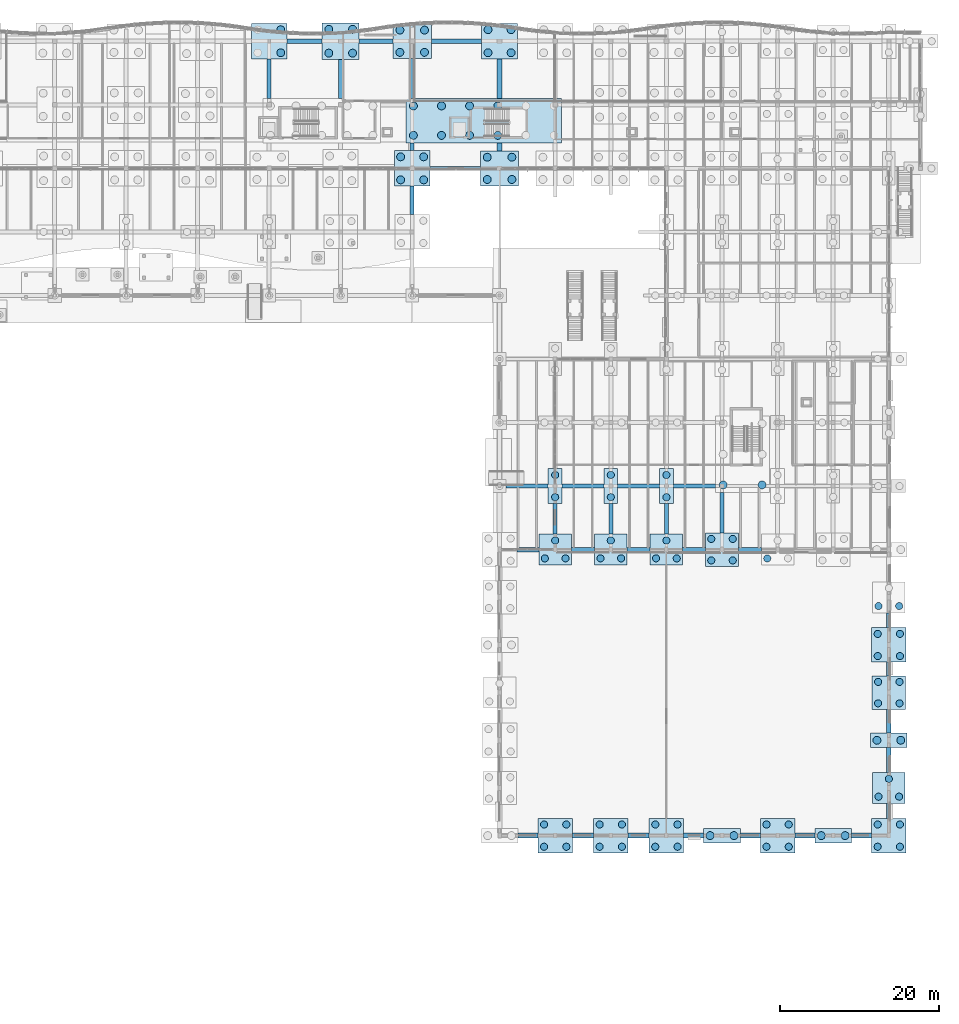
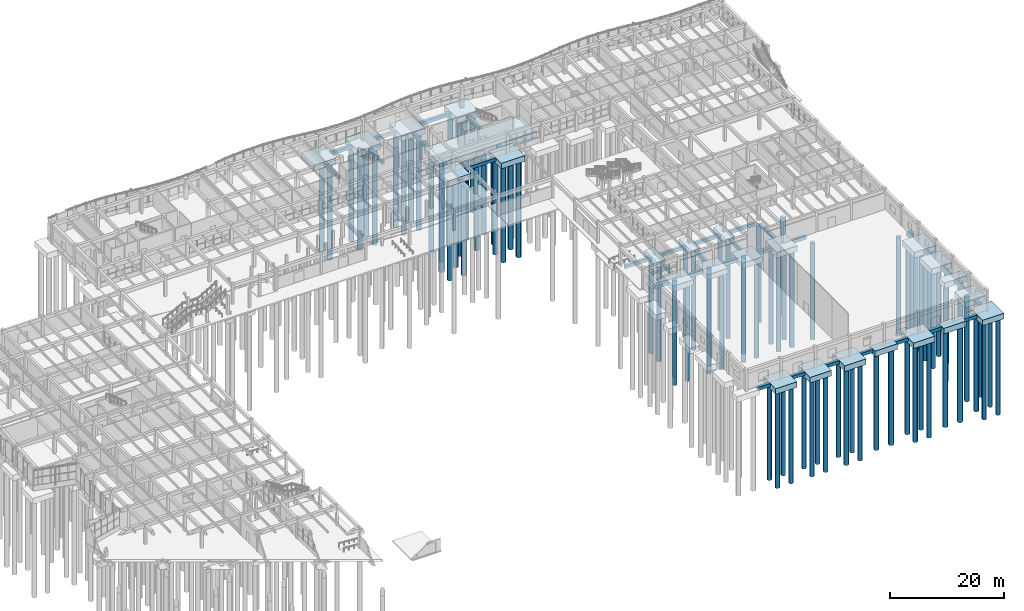
# One storey, part 6 of 99: 91 piles, 61 footings.
"""IFC4 building model written with IfcOpenShell, lengths in metres."""

import ifcopenshell
import ifcopenshell.guid

model = None  # the IFC model being written
_history = None  # IfcOwnerHistory: only IFC2X3 demands one
_inside = {}  # id of a spatial element -> (the spatial element, [elements in it])
_under = {}  # id of a project, library or spatial element -> (it, [spatial elements below it])
_declared = {}  # id of a project -> (the project, [libraries it declares])
_typed = {}  # id of a type object -> (the type object, [elements of that type])
_made_of = {}  # id of a material, layer set ... -> (it, [elements and type objects made of it])


def new_model(schema):
    """Start an empty IFC model of exactly this schema.

    Asked for "IFC4X3", IfcOpenShell would pick the latest addendum, in which some entities
    have other attributes; the version numbers below select the first issue.
    IFC2X3 requires an IfcOwnerHistory on every rooted entity: one is made here for all.
    """
    global model, _history
    if schema == "IFC4X3":
        model = ifcopenshell.file(schema_version=(4, 3, 0, 0))
    else:
        model = ifcopenshell.file(schema=schema)
    _inside.clear()
    _under.clear()
    _declared.clear()
    _typed.clear()
    _made_of.clear()
    _history = None
    if model.schema == "IFC2X3":
        org = make("IfcOrganization", Name="unknown")
        user = make(
            "IfcPersonAndOrganization",
            ThePerson=make("IfcPerson", FamilyName="unknown"),
            TheOrganization=org,
        )
        app = make(
            "IfcApplication",
            ApplicationDeveloper=org,
            Version="unknown",
            ApplicationFullName="unknown",
            ApplicationIdentifier="unknown",
        )
        _history = make(
            "IfcOwnerHistory",
            OwningUser=user,
            OwningApplication=app,
            ChangeAction="ADDED",
            CreationDate=0,
        )
    return model


def make(cls, **values):
    """One entity of the class cls with the attributes given. An attribute that is None is left unset."""
    return model.create_entity(
        cls, **{name: value for name, value in values.items() if value is not None}
    )


def rooted(cls, **values):
    """An entity with a GlobalId (a new one), such as an element, a storey or a relation."""
    return make(cls, GlobalId=ifcopenshell.guid.new(), OwnerHistory=_history, **values)


def si_unit(unit_type, name, prefix=None):
    """IfcSIUnit, for example si_unit("LENGTHUNIT", "METRE", prefix="MILLI")."""
    return make("IfcSIUnit", UnitType=unit_type, Prefix=prefix, Name=name)


def assignment(units):
    """IfcUnitAssignment: the units of a project."""
    return None if units is None else make("IfcUnitAssignment", Units=units)


def point(xyz):
    """IfcCartesianPoint."""
    return None if xyz is None else make("IfcCartesianPoint", Coordinates=xyz)


def direction(xyz):
    """IfcDirection."""
    return None if xyz is None else make("IfcDirection", DirectionRatios=xyz)


def frame(location, z_axis=None, x_axis=None):
    """IfcAxis2Placement3D, a coordinate frame: its origin and axes. An axis left out is left unset."""
    return make(
        "IfcAxis2Placement3D",
        Location=point(location),
        Axis=direction(z_axis),
        RefDirection=direction(x_axis),
    )


def frame_2d(location, x_axis=None):
    """IfcAxis2Placement2D, a coordinate frame in the plane: its origin and x axis."""
    return make(
        "IfcAxis2Placement2D", Location=point(location), RefDirection=direction(x_axis)
    )


def origin():
    """The frame at (0, 0, 0) with its axes left unset."""
    return frame((0.0, 0.0, 0.0))


def origin_2d():
    """The frame at (0, 0) in the plane with its x axis left unset."""
    return frame_2d((0.0, 0.0))


def place(relative_to, where):
    """IfcLocalPlacement: puts the frame where relative to a parent placement (None: the world)."""
    return make(
        "IfcLocalPlacement", PlacementRelTo=relative_to, RelativePlacement=where
    )


def context(
    kind, dimensions, precision=None, world=None, true_north=None, identifier=None
):
    """IfcGeometricRepresentationContext, for example the 3D "Model" context."""
    return make(
        "IfcGeometricRepresentationContext",
        ContextIdentifier=identifier,
        ContextType=kind,
        CoordinateSpaceDimension=dimensions,
        Precision=precision,
        WorldCoordinateSystem=world,
        TrueNorth=true_north,
    )


def subcontext(parent, identifier, kind, view, scale=None):
    """IfcGeometricRepresentationSubContext, for example "Body" below "Model"."""
    return make(
        "IfcGeometricRepresentationSubContext",
        ContextIdentifier=identifier,
        ContextType=kind,
        ParentContext=parent,
        TargetScale=scale,
        TargetView=view,
    )


def project(units=None, contexts=None):
    """IfcProject with its units and contexts."""
    return rooted(
        "IfcProject",
        Name="project",
        RepresentationContexts=contexts,
        UnitsInContext=assignment(units),
    )


def spatial(cls, under=None, at=None, **own):
    """A site, building, storey or space (cls), placed at a placement, below another one or the project."""
    s = rooted(cls, ObjectPlacement=at, **own)
    if under is not None:
        _under.setdefault(under.id(), (under, []))[1].append(s)
    return s


def profile(cls, at=None, kind="AREA", **sizes):
    """A parametric profile (cls). Its sizes go by their IFC names, for example OverallWidth=200.0."""
    return make(cls, ProfileType=kind, Position=at, **sizes)


def rectangle(**sizes):
    """IfcRectangleProfileDef."""
    return profile("IfcRectangleProfileDef", **sizes)


def circle(**sizes):
    """IfcCircleProfileDef."""
    return profile("IfcCircleProfileDef", **sizes)


def extrude(swept, where, along, depth):
    """IfcExtrudedAreaSolid: the profile swept, set in the frame where, extruded along a direction by depth."""
    return make(
        "IfcExtrudedAreaSolid",
        SweptArea=swept,
        Position=where,
        ExtrudedDirection=direction(along),
        Depth=depth,
    )


def shape(context_of_items, identifier, shape_type, items):
    """IfcShapeRepresentation: the items that make up one representation, for example the "Body"."""
    return make(
        "IfcShapeRepresentation",
        ContextOfItems=context_of_items,
        RepresentationIdentifier=identifier,
        RepresentationType=shape_type,
        Items=items,
    )


def material(Name=None, Category=None):
    """IfcMaterial."""
    return make("IfcMaterial", Name=Name, Category=Category)


def material_profile(
    of_material, cross_section, Name=None, Category=None, Priority=None
):
    """IfcMaterialProfile: a cross section and its material."""
    return make(
        "IfcMaterialProfile",
        Name=Name,
        Material=of_material,
        Profile=cross_section,
        Priority=Priority,
        Category=Category,
    )


def profile_set(profiles, Name=None, composite=None):
    """IfcMaterialProfileSet."""
    return make(
        "IfcMaterialProfileSet",
        Name=Name,
        MaterialProfiles=profiles,
        CompositeProfile=composite,
    )


def made_of(thing, what):
    """Note that an element or type object is made of a material, layer set ...; save() writes the relation."""
    if what is not None:
        _made_of.setdefault(what.id(), (what, []))[1].append(thing)
    return thing


def type_object(cls, material=None, **own):
    """A type object (cls), such as IfcWallType, which elements share."""
    return made_of(rooted(cls, **own), material)


def element(
    cls,
    number,
    at=None,
    inside=None,
    cuts=None,
    type_object=None,
    material=None,
    context=None,
    identifier="Body",
    shape_type=None,
    held_by="IfcProductDefinitionShape",
    body=None,
    shapes=None,
    **own,
):
    """One element of the class cls, such as IfcWall. Its Tag is "e" and its number.

    at: its placement. inside: the storey or other place that contains it. cuts: it is an
    opening in that element (IfcRelVoidsElement). A single representation is given by context,
    identifier, shape_type and body (its items); several are given by shapes. held_by: the class
    of the entity that holds the representations. save() writes the other relations.
    """
    e = rooted(cls, Tag="e%d" % number, ObjectPlacement=at, **own)
    if body is not None:
        shapes = [shape(context, identifier, shape_type, body)]
    if shapes is not None:
        e.Representation = make(held_by, Representations=shapes)
    if inside is not None:
        _inside.setdefault(inside.id(), (inside, []))[1].append(e)
    if cuts is not None:
        rooted(
            "IfcRelVoidsElement", RelatingBuildingElement=cuts, RelatedOpeningElement=e
        )
    if type_object is not None:
        _typed.setdefault(type_object.id(), (type_object, []))[1].append(e)
    return made_of(e, material)


def aggregate(whole, parts):
    """IfcRelAggregates: a whole, such as a stair, and the parts it consists of."""
    return rooted("IfcRelAggregates", RelatingObject=whole, RelatedObjects=parts)


def save(model, path):
    """Write the relations noted so far, then the file.

    IfcRelAggregates (storeys below a building ...), IfcRelContainedInSpatialStructure (elements
    in a storey), IfcRelDefinesByType, IfcRelAssociatesMaterial and IfcRelDeclares: one each for
    every whole, place, type object, material and project.
    """
    for whole, parts in _under.values():
        aggregate(whole, parts)
    for where, things in _inside.values():
        rooted(
            "IfcRelContainedInSpatialStructure",
            RelatedElements=things,
            RelatingStructure=where,
        )
    for kind, things in _typed.values():
        rooted("IfcRelDefinesByType", RelatedObjects=things, RelatingType=kind)
    for what, things in _made_of.values():
        rooted("IfcRelAssociatesMaterial", RelatedObjects=things, RelatingMaterial=what)
    for by, libraries in _declared.values():
        rooted("IfcRelDeclares", RelatingContext=by, RelatedDefinitions=libraries)
    model.write(path)


model = new_model("IFC4")

# Units and contexts
model_context = context("Model", 3, precision=1e-05, world=origin(), true_north=direction((0.0, 1.0)))
body_context = subcontext(model_context, "Body", "Model", "MODEL_VIEW")
ifc_project = project(units=[si_unit("LENGTHUNIT", "METRE"), si_unit("AREAUNIT", "SQUARE_METRE"), si_unit("VOLUMEUNIT", "CUBIC_METRE"), si_unit("PLANEANGLEUNIT", "RADIAN"), si_unit("MASSUNIT", "GRAM", prefix="KILO")], contexts=[model_context])

# Site, building, storey
site_placement = place(None, origin())
site = spatial("IfcSite", under=ifc_project, at=site_placement, CompositionType="ELEMENT")
building_placement = place(site_placement, origin())
building = spatial("IfcBuilding", under=site, at=building_placement, Name="Tonlespit Floodbar School", CompositionType="ELEMENT")
storey_placement = place(building_placement, origin())
storey = spatial("IfcBuildingStorey", under=building, at=storey_placement, Name="L00", CompositionType="ELEMENT", Elevation=0.0)

# Footings
ifc_material_1 = material(Name="Concrete C40/50", Category="concrete")
footing_type_1 = type_object("IfcFootingType", Name="FootingBeam_RC_500x700", PredefinedType="FOOTING_BEAM", material=ifc_material_1)
footing_1_placement = place(storey_placement, frame((130.46240234375, 64.0, -0.89990234375), z_axis=(0.0, 0.0, 1.0), x_axis=(1.0, 0.0, 0.0)))
element("IfcFooting", 1, at=footing_1_placement, inside=storey, type_object=footing_type_1, Name="Ground tie beam FB-059", PredefinedType="FOOTING_BEAM", context=body_context, shape_type="SweptSolid", body=[
    extrude(rectangle(XDim=5.324951171875, YDim=0.5, at=origin_2d()), origin(), (0.0, 0.0, 1.0), 0.699951171875),
])
for number, where, z_axis, x_axis, name in (
    (2, (137.5, 64.0, -0.89990234375), (0.0, 0.0, 1.0), (1.0, 0.0, 0.0), "Ground tie beam FB-060"),
    (3, (144.5, 64.0, -0.89990234375), (0.0, 0.0, 1.0), (1.0, 0.0, 0.0), "Ground tie beam FB-061"),
):
    element("IfcFooting", number, at=place(storey_placement, frame(where, z_axis=z_axis, x_axis=x_axis)), inside=storey, type_object=footing_type_1, Name=name, PredefinedType="FOOTING_BEAM", context=body_context, shape_type="SweptSolid", body=[
        extrude(rectangle(XDim=5.25, YDim=0.5, at=origin_2d()), origin(), (0.0, 0.0, 1.0), 0.699951171875),
    ])
footing_2_placement = place(storey_placement, frame((151.53759765625, 64.0, -0.89990234375), z_axis=(0.0, 0.0, 1.0), x_axis=(1.0, 0.0, 0.0)))
element("IfcFooting", 4, at=footing_2_placement, inside=storey, type_object=footing_type_1, Name="Ground tie beam FB-062", PredefinedType="FOOTING_BEAM", context=body_context, shape_type="SweptSolid", body=[
    extrude(rectangle(XDim=5.324951171875, YDim=0.5, at=origin_2d()), origin(), (0.0, 0.0, 1.0), 0.699951171875),
])
footing_3_placement = place(storey_placement, frame((121.425048828125, 104.0, -0.89990234375), z_axis=(0.0, 0.0, 1.0), x_axis=(1.0, 0.0, 0.0)))
element("IfcFooting", 5, at=footing_3_placement, inside=storey, type_object=footing_type_1, Name="Ground tie beam FB-125", PredefinedType="FOOTING_BEAM", context=body_context, shape_type="SweptSolid", body=[
    extrude(rectangle(XDim=6.35009765625, YDim=0.5, at=origin_2d()), origin(), (0.0, 0.0, 1.0), 0.699951171875),
])
footing_4_placement = place(storey_placement, frame((98.0, 115.27490234375, -0.89990234375), z_axis=(0.0, 0.0, 1.0), x_axis=(0.0, 1.0, 0.0)))
element("IfcFooting", 6, at=footing_4_placement, inside=storey, type_object=footing_type_1, Name="Ground tie beam FB-257", PredefinedType="FOOTING_BEAM", context=body_context, shape_type="SweptSolid", body=[
    extrude(rectangle(XDim=4.949951171875, YDim=0.5, at=origin_2d()), origin(), (0.0, 0.0, 1.0), 0.699951171875),
])
footing_5_placement = place(storey_placement, frame((107.0, 115.237548828125, -0.89990234375), z_axis=(0.0, 0.0, 1.0), x_axis=(0.0, 1.0, 0.0)))
element("IfcFooting", 7, at=footing_5_placement, inside=storey, type_object=footing_type_1, Name="Ground tie beam FB-261", PredefinedType="FOOTING_BEAM", context=body_context, shape_type="SweptSolid", body=[
    extrude(rectangle(XDim=4.875, YDim=0.5, at=origin_2d()), origin(), (0.0, 0.0, 1.0), 0.699951171875),
])
footing_6_placement = place(storey_placement, frame((116.0, 99.96240234375, -0.89990234375), z_axis=(0.0, 0.0, 1.0), x_axis=(0.0, 1.0, 0.0)))
element("IfcFooting", 8, at=footing_6_placement, inside=storey, type_object=footing_type_1, Name="Ground tie beam FB-263", PredefinedType="FOOTING_BEAM", context=body_context, shape_type="SweptSolid", body=[
    extrude(rectangle(XDim=3.574951171875, YDim=0.5, at=origin_2d()), origin(), (0.0, 0.0, 1.0), 0.699951171875),
])
footing_7_placement = place(storey_placement, frame((116.0, 106.72509765625, -0.89990234375), z_axis=(0.0, 0.0, 1.0), x_axis=(0.0, 1.0, 0.0)))
element("IfcFooting", 9, at=footing_7_placement, inside=storey, type_object=footing_type_1, Name="Ground tie beam FB-264", PredefinedType="FOOTING_BEAM", context=body_context, shape_type="SweptSolid", body=[
    extrude(rectangle(XDim=0.949951171875, YDim=0.5, at=origin_2d()), origin(), (0.0, 0.0, 1.0), 0.699951171875),
])
footing_8_placement = place(storey_placement, frame((116.0, 115.300048828125, -0.89990234375), z_axis=(0.0, 0.0, 1.0), x_axis=(0.0, 1.0, 0.0)))
element("IfcFooting", 10, at=footing_8_placement, inside=storey, type_object=footing_type_1, Name="Ground tie beam FB-265", PredefinedType="FOOTING_BEAM", context=body_context, shape_type="SweptSolid", body=[
    extrude(rectangle(XDim=5.0, YDim=0.5, at=origin_2d()), origin(), (0.0, 0.0, 1.0), 0.699951171875),
])
for number, where, z_axis, x_axis, name in (
    (11, (134.0, 59.875, -0.89990234375), (0.0, 0.0, 1.0), (0.0, 1.0, 0.0), "Ground tie beam FB-278"),
    (12, (141.0, 59.875, -0.89990234375), (0.0, 0.0, 1.0), (0.0, 1.0, 0.0), "Ground tie beam FB-283"),
    (13, (148.0, 59.875, -0.89990234375), (0.0, 0.0, 1.0), (0.0, 1.0, 0.0), "Ground tie beam FB-288"),
):
    element("IfcFooting", number, at=place(storey_placement, frame(where, z_axis=z_axis, x_axis=x_axis)), inside=storey, type_object=footing_type_1, Name=name, PredefinedType="FOOTING_BEAM", context=body_context, shape_type="SweptSolid", body=[
        extrude(rectangle(XDim=3.85009765625, YDim=0.5, at=origin_2d()), origin(), (0.0, 0.0, 1.0), 0.699951171875),
    ])
footing_9_placement = place(storey_placement, frame((155.0, 60.64990234375, -0.89990234375), z_axis=(0.0, 0.0, 1.0), x_axis=(0.0, 1.0, 0.0)))
element("IfcFooting", 14, at=footing_9_placement, inside=storey, type_object=footing_type_1, Name="Ground tie beam FB-296", PredefinedType="FOOTING_BEAM", context=body_context, shape_type="SweptSolid", body=[
    extrude(rectangle(XDim=5.10009765625, YDim=0.5, at=origin_2d()), origin(), (0.0, 0.0, 1.0), 0.699951171875),
])
footing_type_2 = type_object("IfcFootingType", Name="PileCap_2PX_4600x1850", PredefinedType="PILE_CAP", material=ifc_material_1)
for number, where, z_axis, x_axis, name in (
    (15, (155.0, 20.0, -1.39990234375), (0.0, 0.0, 1.0), (1.0, 0.0, 0.0), "Pile cap FC-164 at U19/V03"),
    (16, (169.0, 20.0, -1.39990234375), (0.0, 0.0, 1.0), (1.0, 0.0, 0.0), "Pile cap FC-184 at U21/V03"),
    (17, (176.0, 32.0, -1.39990234375), (0.0, 0.0, 1.0), (1.0, 0.0, 0.0), "Pile cap FC-196 at U22/V05"),
):
    element("IfcFooting", number, at=place(storey_placement, frame(where, z_axis=z_axis, x_axis=x_axis)), inside=storey, type_object=footing_type_2, Name=name, PredefinedType="PILE_CAP", context=body_context, shape_type="SweptSolid", body=[
        extrude(rectangle(XDim=4.60009765625, YDim=1.85009765625, at=origin_2d()), origin(), (0.0, 0.0, 1.0), 1.199951171875),
    ])
footing_type_3 = type_object("IfcFootingType", Name="PileCap_2PY_1750x4400", PredefinedType="PILE_CAP", material=ifc_material_1)
for number, where, z_axis, x_axis, name in (
    (18, (134.0, 64.0, -1.39990234375), (0.0, 0.0, 1.0), (1.0, 0.0, 0.0), "Pile cap FC-140 at U16/V10"),
    (19, (141.0, 64.0, -1.39990234375), (0.0, 0.0, 1.0), (1.0, 0.0, 0.0), "Pile cap FC-148 at U17/V10"),
    (20, (148.0, 64.0, -1.39990234375), (0.0, 0.0, 1.0), (1.0, 0.0, 0.0), "Pile cap FC-156 at U18/V10"),
):
    element("IfcFooting", number, at=place(storey_placement, frame(where, z_axis=z_axis, x_axis=x_axis)), inside=storey, type_object=footing_type_3, Name=name, PredefinedType="PILE_CAP", context=body_context, shape_type="SweptSolid", body=[
        extrude(rectangle(XDim=1.75, YDim=4.39990234375, at=origin_2d()), origin(), (0.0, 0.0, 1.0), 1.199951171875),
    ])
footing_type_4 = type_object("IfcFootingType", Name="PileCap_3P_4100x3900", PredefinedType="PILE_CAP", material=ifc_material_1)
for number, where, z_axis, x_axis, name in (
    (21, (134.0, 56.0, -1.39990234375), (0.0, 0.0, 1.0), (1.0, 0.0, 0.0), "Pile cap FC-139 at U16/V09"),
    (22, (141.0, 56.0, -1.39990234375), (0.0, 0.0, 1.0), (1.0, 0.0, 0.0), "Pile cap FC-147 at U17/V09"),
    (23, (148.0, 56.0, -1.39990234375), (0.0, 0.0, 1.0), (1.0, 0.0, 0.0), "Pile cap FC-155 at U18/V09"),
    (24, (176.0, 26.0, -1.39990234375), (0.0, 0.0, 1.0), (1.0, 0.0, 0.0), "Pile cap FC-195 at U22/V04"),
):
    element("IfcFooting", number, at=place(storey_placement, frame(where, z_axis=z_axis, x_axis=x_axis)), inside=storey, type_object=footing_type_4, Name=name, PredefinedType="PILE_CAP", context=body_context, shape_type="SweptSolid", body=[
        extrude(rectangle(XDim=4.10009765625, YDim=3.89990234375, at=origin_2d()), origin(), (0.0, 0.0, 1.0), 1.199951171875),
    ])
footing_type_5 = type_object("IfcFootingType", Name="PileCap_4P_4200x4200", PredefinedType="PILE_CAP", material=ifc_material_1)
for number, where, z_axis, x_axis, name in (
    (25, (155.0, 56.0, -1.39990234375), (0.0, 0.0, 1.0), (1.0, 0.0, 0.0), "Pile cap FC-165 at U19/V09"),
    (26, (176.0, 38.0, -1.39990234375), (0.0, 0.0, 1.0), (1.0, 0.0, 0.0), "Pile cap FC-197 at U22/V06"),
):
    element("IfcFooting", number, at=place(storey_placement, frame(where, z_axis=z_axis, x_axis=x_axis)), inside=storey, type_object=footing_type_5, Name=name, PredefinedType="PILE_CAP", context=body_context, shape_type="SweptSolid", body=[
        extrude(rectangle(XDim=4.199951171875, YDim=4.199951171875, at=origin_2d()), origin(), (0.0, 0.0, 1.0), 1.199951171875),
    ])
footing_type_6 = type_object("IfcFootingType", Name="PileCap_4P_4350x4350", PredefinedType="PILE_CAP", material=ifc_material_1)
for number, where, z_axis, x_axis, name in (
    (27, (134.0, 20.0, -1.39990234375), (0.0, 0.0, 1.0), (1.0, 0.0, 0.0), "Pile cap FC-138 at U16/V03"),
    (28, (141.0, 20.0, -1.39990234375), (0.0, 0.0, 1.0), (1.0, 0.0, 0.0), "Pile cap FC-146 at U17/V03"),
    (29, (148.0, 20.0, -1.39990234375), (0.0, 0.0, 1.0), (1.0, 0.0, 0.0), "Pile cap FC-154 at U18/V03"),
    (30, (162.0, 20.0, -1.39990234375), (0.0, 0.0, 1.0), (1.0, 0.0, 0.0), "Pile cap FC-174 at U20/V03"),
    (31, (176.0, 20.0, -1.39990234375), (0.0, 0.0, 1.0), (1.0, 0.0, 0.0), "Pile cap FC-194 at U22/V03"),
    (32, (176.0, 44.0, -1.39990234375), (0.0, 0.0, 1.0), (1.0, 0.0, 0.0), "Pile cap FC-198 at U22/V07"),
):
    element("IfcFooting", number, at=place(storey_placement, frame(where, z_axis=z_axis, x_axis=x_axis)), inside=storey, type_object=footing_type_6, Name=name, PredefinedType="PILE_CAP", context=body_context, shape_type="SweptSolid", body=[
        extrude(rectangle(XDim=4.35009765625, YDim=4.35009765625, at=origin_2d()), origin(), (0.0, 0.0, 1.0), 1.199951171875),
    ])
footing_type_7 = type_object("IfcFootingType", Name="PileCap_4P_4500x4500", PredefinedType="PILE_CAP", material=ifc_material_1)
for number, where, z_axis, x_axis, name in (
    (33, (98.0, 120.0, -1.39990234375), (0.0, 0.0, 1.0), (1.0, 0.0, 0.0), "Pile cap FC-113 at U12/V17"),
    (34, (116.0, 104.0, -1.39990234375), (0.0, 0.0, 1.0), (1.0, 0.0, 0.0), "Pile cap FC-121 at U14/V15"),
    (35, (127.0, 120.0, -1.39990234375), (0.0, 0.0, 1.0), (1.0, 0.0, 0.0), "Pile cap FC-137 at U15/V17"),
):
    element("IfcFooting", number, at=place(storey_placement, frame(where, z_axis=z_axis, x_axis=x_axis)), inside=storey, type_object=footing_type_7, Name=name, PredefinedType="PILE_CAP", context=body_context, shape_type="SweptSolid", body=[
        extrude(rectangle(XDim=4.5, YDim=4.5, at=origin_2d()), origin(), (0.0, 0.0, 1.0), 1.199951171875),
    ])
footing_type_8 = type_object("IfcFootingType", Name="PileCap_4P_4650x4650", PredefinedType="PILE_CAP", material=ifc_material_1)
footing_10_placement = place(storey_placement, frame((107.0, 120.0, -1.39990234375), z_axis=(0.0, 0.0, 1.0), x_axis=(1.0, 0.0, 0.0)))
element("IfcFooting", 36, at=footing_10_placement, inside=storey, type_object=footing_type_8, Name="Pile cap FC-118 at U13/V17", PredefinedType="PILE_CAP", context=body_context, shape_type="SweptSolid", body=[
    extrude(rectangle(XDim=4.64990234375, YDim=4.64990234375, at=origin_2d()), origin(), (0.0, 0.0, 1.0), 1.199951171875),
])
footing_type_9 = type_object("IfcFootingType", Name="PileCap_4P_4800x4400", PredefinedType="PILE_CAP", material=ifc_material_1)
for number, where, z_axis, x_axis, name in (
    (37, (116.0, 120.0, -1.39990234375), (0.0, 0.0, 1.0), (1.0, 0.0, 0.0), "Pile cap FC-123 at U14/V17"),
    (38, (127.0, 104.0, -1.39990234375), (0.0, 0.0, 1.0), (1.0, 0.0, 0.0), "Pile cap FC-135 at U15/V15"),
):
    element("IfcFooting", number, at=place(storey_placement, frame(where, z_axis=z_axis, x_axis=x_axis)), inside=storey, type_object=footing_type_9, Name=name, PredefinedType="PILE_CAP", context=body_context, shape_type="SweptSolid", body=[
        extrude(rectangle(XDim=4.800048828125, YDim=4.39990234375, at=origin_2d()), origin(), (0.0, 0.0, 1.0), 1.199951171875),
    ])
footing_type_10 = type_object("IfcFootingType", Name="PileCap_Core_C4", PredefinedType="PILE_CAP", material=ifc_material_1)
footing_11_placement = place(storey_placement, frame((125.0, 110.0, -1.39990234375), z_axis=(0.0, 0.0, 1.0), x_axis=(1.0, 0.0, 0.0)))
element("IfcFooting", 39, at=footing_11_placement, inside=storey, type_object=footing_type_10, Name="Core C4 pile cap", PredefinedType="PILE_CAP", context=body_context, shape_type="SweptSolid", body=[
    extrude(rectangle(XDim=19.60009765625, YDim=5.60009765625, at=origin_2d()), origin(), (0.0, 0.0, 1.0), 1.199951171875),
])

# Piles
ifc_material_2 = material(Name="Concrete C35/45", Category="concrete")
ifc_material_profile_1 = material_profile(ifc_material_2, circle(Radius=0.5, at=origin_2d()), Name="BP D1000")
ifc_profile_set_1 = profile_set([ifc_material_profile_1], Name="Concrete C35/45")
pile_type_1 = type_object("IfcPileType", Name="Pile_RC_D1000", PredefinedType="BORED", material=ifc_profile_set_1)
for number, where, z_axis, x_axis, name in (
    (40, (116.14990234375, 108.14990234375, -1.300048828125), (0.0, 0.0, -1.0), (1.0, 0.0, 0.0), "Bored pile PL-0033"),
    (41, (116.14990234375, 111.85009765625, -1.300048828125), (0.0, 0.0, -1.0), (1.0, 0.0, 0.0), "Bored pile PL-0034"),
    (42, (119.68994140625, 108.14990234375, -1.300048828125), (0.0, 0.0, -1.0), (1.0, 0.0, 0.0), "Bored pile PL-0035"),
    (43, (119.68994140625, 111.85009765625, -1.300048828125), (0.0, 0.0, -1.0), (1.0, 0.0, 0.0), "Bored pile PL-0036"),
    (44, (123.22998046875, 108.14990234375, -1.300048828125), (0.0, 0.0, -1.0), (1.0, 0.0, 0.0), "Bored pile PL-0037"),
    (45, (123.22998046875, 111.85009765625, -1.300048828125), (0.0, 0.0, -1.0), (1.0, 0.0, 0.0), "Bored pile PL-0038"),
    (46, (126.77001953125, 108.14990234375, -1.300048828125), (0.0, 0.0, -1.0), (1.0, 0.0, 0.0), "Bored pile PL-0039"),
    (47, (126.77001953125, 111.85009765625, -1.300048828125), (0.0, 0.0, -1.0), (1.0, 0.0, 0.0), "Bored pile PL-0040"),
    (48, (155.14990234375, 64.14990234375, -1.300048828125), (0.0, 0.0, -1.0), (1.0, 0.0, 0.0), "Bored pile PL-0045"),
    (49, (160.050048828125, 64.14990234375, -1.300048828125), (0.0, 0.0, -1.0), (1.0, 0.0, 0.0), "Bored pile PL-0048"),
    (50, (99.449951171875, 118.550048828125, -1.300048828125), (0.0, 0.0, -1.0), (1.0, 0.0, 0.0), "Bored pile PL-0347"),
    (51, (99.449951171875, 121.449951171875, -1.300048828125), (0.0, 0.0, -1.0), (1.0, 0.0, 0.0), "Bored pile PL-0349"),
    (52, (105.5, 118.5, -1.300048828125), (0.0, 0.0, -1.0), (1.0, 0.0, 0.0), "Bored pile PL-0359"),
    (53, (108.5, 118.5, -1.300048828125), (0.0, 0.0, -1.0), (1.0, 0.0, 0.0), "Bored pile PL-0360"),
    (54, (105.5, 121.5, -1.300048828125), (0.0, 0.0, -1.0), (1.0, 0.0, 0.0), "Bored pile PL-0361"),
    (55, (108.5, 121.5, -1.300048828125), (0.0, 0.0, -1.0), (1.0, 0.0, 0.0), "Bored pile PL-0362"),
    (56, (114.550048828125, 102.550048828125, -1.300048828125), (0.0, 0.0, -1.0), (1.0, 0.0, 0.0), "Bored pile PL-0368"),
    (57, (117.449951171875, 102.550048828125, -1.300048828125), (0.0, 0.0, -1.0), (1.0, 0.0, 0.0), "Bored pile PL-0369"),
    (58, (114.550048828125, 105.449951171875, -1.300048828125), (0.0, 0.0, -1.0), (1.0, 0.0, 0.0), "Bored pile PL-0370"),
    (59, (117.449951171875, 105.449951171875, -1.300048828125), (0.0, 0.0, -1.0), (1.0, 0.0, 0.0), "Bored pile PL-0371"),
    (60, (114.449951171875, 118.60009765625, -1.300048828125), (0.0, 0.0, -1.0), (1.0, 0.0, 0.0), "Bored pile PL-0372"),
    (61, (117.550048828125, 118.60009765625, -1.300048828125), (0.0, 0.0, -1.0), (1.0, 0.0, 0.0), "Bored pile PL-0373"),
    (62, (114.449951171875, 121.39990234375, -1.300048828125), (0.0, 0.0, -1.0), (1.0, 0.0, 0.0), "Bored pile PL-0374"),
    (63, (117.550048828125, 121.39990234375, -1.300048828125), (0.0, 0.0, -1.0), (1.0, 0.0, 0.0), "Bored pile PL-0375"),
    (64, (125.449951171875, 102.60009765625, -1.300048828125), (0.0, 0.0, -1.0), (1.0, 0.0, 0.0), "Bored pile PL-0403"),
    (65, (128.550048828125, 102.60009765625, -1.300048828125), (0.0, 0.0, -1.0), (1.0, 0.0, 0.0), "Bored pile PL-0404"),
    (66, (125.449951171875, 105.39990234375, -1.300048828125), (0.0, 0.0, -1.0), (1.0, 0.0, 0.0), "Bored pile PL-0405"),
    (67, (128.550048828125, 105.39990234375, -1.300048828125), (0.0, 0.0, -1.0), (1.0, 0.0, 0.0), "Bored pile PL-0406"),
    (68, (125.550048828125, 118.550048828125, -1.300048828125), (0.0, 0.0, -1.0), (1.0, 0.0, 0.0), "Bored pile PL-0407"),
    (69, (128.449951171875, 118.550048828125, -1.300048828125), (0.0, 0.0, -1.0), (1.0, 0.0, 0.0), "Bored pile PL-0408"),
    (70, (125.550048828125, 121.449951171875, -1.300048828125), (0.0, 0.0, -1.0), (1.0, 0.0, 0.0), "Bored pile PL-0409"),
    (71, (128.449951171875, 121.449951171875, -1.300048828125), (0.0, 0.0, -1.0), (1.0, 0.0, 0.0), "Bored pile PL-0410"),
    (72, (153.5, 20.0, -1.300048828125), (0.0, 0.0, -1.0), (1.0, 0.0, 0.0), "Bored pile PL-0486"),
    (73, (156.5, 20.0, -1.300048828125), (0.0, 0.0, -1.0), (1.0, 0.0, 0.0), "Bored pile PL-0487"),
    (74, (167.5, 20.0, -1.300048828125), (0.0, 0.0, -1.0), (1.0, 0.0, 0.0), "Bored pile PL-0535"),
    (75, (170.5, 20.0, -1.300048828125), (0.0, 0.0, -1.0), (1.0, 0.0, 0.0), "Bored pile PL-0536"),
    (76, (174.5, 32.0, -1.300048828125), (0.0, 0.0, -1.0), (1.0, 0.0, 0.0), "Bored pile PL-0569"),
    (77, (177.5, 32.0, -1.300048828125), (0.0, 0.0, -1.0), (1.0, 0.0, 0.0), "Bored pile PL-0570"),
):
    element("IfcPile", number, at=place(storey_placement, frame(where, z_axis=z_axis, x_axis=x_axis)), inside=storey, type_object=pile_type_1, Name=name, PredefinedType="BORED", context=body_context, shape_type="SweptSolid", body=[
        extrude(circle(Radius=0.5, at=origin_2d()), origin(), (0.0, 0.0, 1.0), 20.699951171875),
    ])
ifc_material_profile_2 = material_profile(ifc_material_2, circle(Radius=0.449951171875, at=origin_2d()), Name="BP D900")
ifc_profile_set_2 = profile_set([ifc_material_profile_2], Name="Concrete C35/45")
pile_type_2 = type_object("IfcPileType", Name="Pile_RC_D900", PredefinedType="BORED", material=ifc_profile_set_2)
for number, where, z_axis, x_axis, name in (
    (78, (132.60009765625, 18.60009765625, -1.300048828125), (0.0, 0.0, -1.0), (1.0, 0.0, 0.0), "Bored pile PL-0411"),
    (79, (135.39990234375, 18.60009765625, -1.300048828125), (0.0, 0.0, -1.0), (1.0, 0.0, 0.0), "Bored pile PL-0412"),
    (80, (132.60009765625, 21.39990234375, -1.300048828125), (0.0, 0.0, -1.0), (1.0, 0.0, 0.0), "Bored pile PL-0413"),
    (81, (135.39990234375, 21.39990234375, -1.300048828125), (0.0, 0.0, -1.0), (1.0, 0.0, 0.0), "Bored pile PL-0414"),
    (82, (132.699951171875, 54.89990234375, -1.300048828125), (0.0, 0.0, -1.0), (1.0, 0.0, 0.0), "Bored pile PL-0415"),
    (83, (135.300048828125, 54.89990234375, -1.300048828125), (0.0, 0.0, -1.0), (1.0, 0.0, 0.0), "Bored pile PL-0416"),
    (84, (134.0, 57.14990234375, -1.300048828125), (0.0, 0.0, -1.0), (1.0, 0.0, 0.0), "Bored pile PL-0417"),
    (85, (134.0, 62.60009765625, -1.300048828125), (0.0, 0.0, -1.0), (1.0, 0.0, 0.0), "Bored pile PL-0418"),
    (86, (134.0, 65.39990234375, -1.300048828125), (0.0, 0.0, -1.0), (1.0, 0.0, 0.0), "Bored pile PL-0419"),
    (87, (139.60009765625, 18.60009765625, -1.300048828125), (0.0, 0.0, -1.0), (1.0, 0.0, 0.0), "Bored pile PL-0432"),
    (88, (142.39990234375, 18.60009765625, -1.300048828125), (0.0, 0.0, -1.0), (1.0, 0.0, 0.0), "Bored pile PL-0433"),
    (89, (139.60009765625, 21.39990234375, -1.300048828125), (0.0, 0.0, -1.0), (1.0, 0.0, 0.0), "Bored pile PL-0434"),
    (90, (142.39990234375, 21.39990234375, -1.300048828125), (0.0, 0.0, -1.0), (1.0, 0.0, 0.0), "Bored pile PL-0435"),
    (91, (139.699951171875, 54.89990234375, -1.300048828125), (0.0, 0.0, -1.0), (1.0, 0.0, 0.0), "Bored pile PL-0436"),
    (92, (142.300048828125, 54.89990234375, -1.300048828125), (0.0, 0.0, -1.0), (1.0, 0.0, 0.0), "Bored pile PL-0437"),
    (93, (141.0, 57.14990234375, -1.300048828125), (0.0, 0.0, -1.0), (1.0, 0.0, 0.0), "Bored pile PL-0438"),
    (94, (141.0, 62.60009765625, -1.300048828125), (0.0, 0.0, -1.0), (1.0, 0.0, 0.0), "Bored pile PL-0439"),
    (95, (141.0, 65.39990234375, -1.300048828125), (0.0, 0.0, -1.0), (1.0, 0.0, 0.0), "Bored pile PL-0440"),
    (96, (146.60009765625, 18.60009765625, -1.300048828125), (0.0, 0.0, -1.0), (1.0, 0.0, 0.0), "Bored pile PL-0457"),
    (97, (149.39990234375, 18.60009765625, -1.300048828125), (0.0, 0.0, -1.0), (1.0, 0.0, 0.0), "Bored pile PL-0458"),
    (98, (146.60009765625, 21.39990234375, -1.300048828125), (0.0, 0.0, -1.0), (1.0, 0.0, 0.0), "Bored pile PL-0459"),
    (99, (149.39990234375, 21.39990234375, -1.300048828125), (0.0, 0.0, -1.0), (1.0, 0.0, 0.0), "Bored pile PL-0460"),
    (100, (146.699951171875, 54.89990234375, -1.300048828125), (0.0, 0.0, -1.0), (1.0, 0.0, 0.0), "Bored pile PL-0461"),
    (101, (149.300048828125, 54.89990234375, -1.300048828125), (0.0, 0.0, -1.0), (1.0, 0.0, 0.0), "Bored pile PL-0462"),
    (102, (148.0, 57.14990234375, -1.300048828125), (0.0, 0.0, -1.0), (1.0, 0.0, 0.0), "Bored pile PL-0463"),
    (103, (148.0, 62.60009765625, -1.300048828125), (0.0, 0.0, -1.0), (1.0, 0.0, 0.0), "Bored pile PL-0464"),
    (104, (148.0, 65.39990234375, -1.300048828125), (0.0, 0.0, -1.0), (1.0, 0.0, 0.0), "Bored pile PL-0465"),
    (105, (153.64990234375, 54.64990234375, -1.300048828125), (0.0, 0.0, -1.0), (1.0, 0.0, 0.0), "Bored pile PL-0488"),
    (106, (156.35009765625, 54.64990234375, -1.300048828125), (0.0, 0.0, -1.0), (1.0, 0.0, 0.0), "Bored pile PL-0489"),
    (107, (153.64990234375, 57.35009765625, -1.300048828125), (0.0, 0.0, -1.0), (1.0, 0.0, 0.0), "Bored pile PL-0490"),
    (108, (156.35009765625, 57.35009765625, -1.300048828125), (0.0, 0.0, -1.0), (1.0, 0.0, 0.0), "Bored pile PL-0491"),
    (109, (160.60009765625, 18.60009765625, -1.300048828125), (0.0, 0.0, -1.0), (1.0, 0.0, 0.0), "Bored pile PL-0509"),
    (110, (163.39990234375, 18.60009765625, -1.300048828125), (0.0, 0.0, -1.0), (1.0, 0.0, 0.0), "Bored pile PL-0510"),
    (111, (160.60009765625, 21.39990234375, -1.300048828125), (0.0, 0.0, -1.0), (1.0, 0.0, 0.0), "Bored pile PL-0511"),
    (112, (163.39990234375, 21.39990234375, -1.300048828125), (0.0, 0.0, -1.0), (1.0, 0.0, 0.0), "Bored pile PL-0512"),
    (113, (160.699951171875, 54.89990234375, -1.300048828125), (0.0, 0.0, -1.0), (1.0, 0.0, 0.0), "Bored pile PL-0513"),
    (114, (174.60009765625, 18.60009765625, -1.300048828125), (0.0, 0.0, -1.0), (1.0, 0.0, 0.0), "Bored pile PL-0562"),
    (115, (177.39990234375, 18.60009765625, -1.300048828125), (0.0, 0.0, -1.0), (1.0, 0.0, 0.0), "Bored pile PL-0563"),
    (116, (174.60009765625, 21.39990234375, -1.300048828125), (0.0, 0.0, -1.0), (1.0, 0.0, 0.0), "Bored pile PL-0564"),
    (117, (177.39990234375, 21.39990234375, -1.300048828125), (0.0, 0.0, -1.0), (1.0, 0.0, 0.0), "Bored pile PL-0565"),
    (118, (174.699951171875, 24.89990234375, -1.300048828125), (0.0, 0.0, -1.0), (1.0, 0.0, 0.0), "Bored pile PL-0566"),
    (119, (177.300048828125, 24.89990234375, -1.300048828125), (0.0, 0.0, -1.0), (1.0, 0.0, 0.0), "Bored pile PL-0567"),
    (120, (176.0, 27.14990234375, -1.300048828125), (0.0, 0.0, -1.0), (1.0, 0.0, 0.0), "Bored pile PL-0568"),
    (121, (174.64990234375, 36.64990234375, -1.300048828125), (0.0, 0.0, -1.0), (1.0, 0.0, 0.0), "Bored pile PL-0571"),
    (122, (177.35009765625, 36.64990234375, -1.300048828125), (0.0, 0.0, -1.0), (1.0, 0.0, 0.0), "Bored pile PL-0572"),
    (123, (174.64990234375, 39.35009765625, -1.300048828125), (0.0, 0.0, -1.0), (1.0, 0.0, 0.0), "Bored pile PL-0573"),
    (124, (177.35009765625, 39.35009765625, -1.300048828125), (0.0, 0.0, -1.0), (1.0, 0.0, 0.0), "Bored pile PL-0574"),
    (125, (174.60009765625, 42.60009765625, -1.300048828125), (0.0, 0.0, -1.0), (1.0, 0.0, 0.0), "Bored pile PL-0575"),
    (126, (177.39990234375, 42.60009765625, -1.300048828125), (0.0, 0.0, -1.0), (1.0, 0.0, 0.0), "Bored pile PL-0576"),
    (127, (174.60009765625, 45.39990234375, -1.300048828125), (0.0, 0.0, -1.0), (1.0, 0.0, 0.0), "Bored pile PL-0577"),
    (128, (177.39990234375, 45.39990234375, -1.300048828125), (0.0, 0.0, -1.0), (1.0, 0.0, 0.0), "Bored pile PL-0578"),
    (129, (174.699951171875, 48.89990234375, -1.300048828125), (0.0, 0.0, -1.0), (1.0, 0.0, 0.0), "Bored pile PL-0579"),
    (130, (177.300048828125, 48.89990234375, -1.300048828125), (0.0, 0.0, -1.0), (1.0, 0.0, 0.0), "Bored pile PL-0580"),
):
    element("IfcPile", number, at=place(storey_placement, frame(where, z_axis=z_axis, x_axis=x_axis)), inside=storey, type_object=pile_type_2, Name=name, PredefinedType="BORED", context=body_context, shape_type="SweptSolid", body=[
        extrude(circle(Radius=0.449951171875, at=origin_2d()), origin(), (0.0, 0.0, 1.0), 20.699951171875),
    ])

# Footings
footing_type_11 = type_object("IfcFootingType", Name="StripFooting_RC_600x700", PredefinedType="STRIP_FOOTING", material=ifc_material_1)
footing_12_placement = place(storey_placement, frame((130.5625, 20.0, -0.89990234375), z_axis=(0.0, 0.0, 1.0), x_axis=(1.0, 0.0, 0.0)))
element("IfcFooting", 131, at=footing_12_placement, inside=storey, type_object=footing_type_11, Name="Ground tie beam FB-014", PredefinedType="STRIP_FOOTING", context=body_context, shape_type="SweptSolid", body=[
    extrude(rectangle(XDim=2.52490234375, YDim=0.60009765625, at=origin_2d()), origin(), (0.0, 0.0, 1.0), 0.699951171875),
])
for number, where, z_axis, x_axis, name in (
    (132, (137.5, 20.0, -0.89990234375), (0.0, 0.0, 1.0), (1.0, 0.0, 0.0), "Ground tie beam FB-015"),
    (133, (144.5, 20.0, -0.89990234375), (0.0, 0.0, 1.0), (1.0, 0.0, 0.0), "Ground tie beam FB-016"),
):
    element("IfcFooting", number, at=place(storey_placement, frame(where, z_axis=z_axis, x_axis=x_axis)), inside=storey, type_object=footing_type_11, Name=name, PredefinedType="STRIP_FOOTING", context=body_context, shape_type="SweptSolid", body=[
        extrude(rectangle(XDim=2.64990234375, YDim=0.60009765625, at=origin_2d()), origin(), (0.0, 0.0, 1.0), 0.699951171875),
    ])
for number, where, z_axis, x_axis, name in (
    (134, (151.4375, 20.0, -0.89990234375), (0.0, 0.0, 1.0), (1.0, 0.0, 0.0), "Ground tie beam FB-017"),
    (135, (158.5625, 20.0, -0.89990234375), (0.0, 0.0, 1.0), (1.0, 0.0, 0.0), "Ground tie beam FB-018"),
    (136, (165.4375, 20.0, -0.89990234375), (0.0, 0.0, 1.0), (1.0, 0.0, 0.0), "Ground tie beam FB-019"),
    (137, (172.5625, 20.0, -0.89990234375), (0.0, 0.0, 1.0), (1.0, 0.0, 0.0), "Ground tie beam FB-020"),
):
    element("IfcFooting", number, at=place(storey_placement, frame(where, z_axis=z_axis, x_axis=x_axis)), inside=storey, type_object=footing_type_11, Name=name, PredefinedType="STRIP_FOOTING", context=body_context, shape_type="SweptSolid", body=[
        extrude(rectangle(XDim=2.52490234375, YDim=0.60009765625, at=origin_2d()), origin(), (0.0, 0.0, 1.0), 0.699951171875),
    ])
footing_13_placement = place(storey_placement, frame((130.5625, 56.0, -0.89990234375), z_axis=(0.0, 0.0, 1.0), x_axis=(1.0, 0.0, 0.0)))
element("IfcFooting", 138, at=footing_13_placement, inside=storey, type_object=footing_type_11, Name="Ground tie beam FB-048", PredefinedType="STRIP_FOOTING", context=body_context, shape_type="SweptSolid", body=[
    extrude(rectangle(XDim=2.77490234375, YDim=0.60009765625, at=origin_2d()), origin(), (0.0, 0.0, 1.0), 0.699951171875),
])
for number, where, z_axis, x_axis, name in (
    (139, (137.5, 56.0, -0.89990234375), (0.0, 0.0, 1.0), (1.0, 0.0, 0.0), "Ground tie beam FB-049"),
    (140, (144.5, 56.0, -0.89990234375), (0.0, 0.0, 1.0), (1.0, 0.0, 0.0), "Ground tie beam FB-050"),
):
    element("IfcFooting", number, at=place(storey_placement, frame(where, z_axis=z_axis, x_axis=x_axis)), inside=storey, type_object=footing_type_11, Name=name, PredefinedType="STRIP_FOOTING", context=body_context, shape_type="SweptSolid", body=[
        extrude(rectangle(XDim=2.89990234375, YDim=0.60009765625, at=origin_2d()), origin(), (0.0, 0.0, 1.0), 0.699951171875),
    ])
for number, where, z_axis, x_axis, name in (
    (141, (151.47509765625, 56.0, -0.89990234375), (0.0, 0.0, 1.0), (1.0, 0.0, 0.0), "Ground tie beam FB-051"),
    (142, (158.52490234375, 56.0, -0.89990234375), (0.0, 0.0, 1.0), (1.0, 0.0, 0.0), "Ground tie beam FB-052"),
):
    element("IfcFooting", number, at=place(storey_placement, frame(where, z_axis=z_axis, x_axis=x_axis)), inside=storey, type_object=footing_type_11, Name=name, PredefinedType="STRIP_FOOTING", context=body_context, shape_type="SweptSolid", body=[
        extrude(rectangle(XDim=2.85009765625, YDim=0.60009765625, at=origin_2d()), origin(), (0.0, 0.0, 1.0), 0.699951171875),
    ])
footing_14_placement = place(storey_placement, frame((102.46240234375, 120.0, -0.89990234375), z_axis=(0.0, 0.0, 1.0), x_axis=(1.0, 0.0, 0.0)))
element("IfcFooting", 143, at=footing_14_placement, inside=storey, type_object=footing_type_11, Name="Ground tie beam FB-152", PredefinedType="STRIP_FOOTING", context=body_context, shape_type="SweptSolid", body=[
    extrude(rectangle(XDim=4.425048828125, YDim=0.60009765625, at=origin_2d()), origin(), (0.0, 0.0, 1.0), 0.699951171875),
])
footing_15_placement = place(storey_placement, frame((111.46240234375, 120.0, -0.89990234375), z_axis=(0.0, 0.0, 1.0), x_axis=(1.0, 0.0, 0.0)))
element("IfcFooting", 144, at=footing_15_placement, inside=storey, type_object=footing_type_11, Name="Ground tie beam FB-153", PredefinedType="STRIP_FOOTING", context=body_context, shape_type="SweptSolid", body=[
    extrude(rectangle(XDim=4.27490234375, YDim=0.60009765625, at=origin_2d()), origin(), (0.0, 0.0, 1.0), 0.699951171875),
])
footing_16_placement = place(storey_placement, frame((121.574951171875, 120.0, -0.89990234375), z_axis=(0.0, 0.0, 1.0), x_axis=(1.0, 0.0, 0.0)))
element("IfcFooting", 145, at=footing_16_placement, inside=storey, type_object=footing_type_11, Name="Ground tie beam FB-154", PredefinedType="STRIP_FOOTING", context=body_context, shape_type="SweptSolid", body=[
    extrude(rectangle(XDim=6.35009765625, YDim=0.60009765625, at=origin_2d()), origin(), (0.0, 0.0, 1.0), 0.699951171875),
])
footing_17_placement = place(storey_placement, frame((127.0, 106.699951171875, -0.89990234375), z_axis=(0.0, 0.0, 1.0), x_axis=(0.0, 1.0, 0.0)))
element("IfcFooting", 146, at=footing_17_placement, inside=storey, type_object=footing_type_11, Name="Ground tie beam FB-276", PredefinedType="STRIP_FOOTING", context=body_context, shape_type="SweptSolid", body=[
    extrude(rectangle(XDim=1.0, YDim=0.60009765625, at=origin_2d()), origin(), (0.0, 0.0, 1.0), 0.699951171875),
])
footing_18_placement = place(storey_placement, frame((127.0, 115.27490234375, -0.89990234375), z_axis=(0.0, 0.0, 1.0), x_axis=(0.0, 1.0, 0.0)))
element("IfcFooting", 147, at=footing_18_placement, inside=storey, type_object=footing_type_11, Name="Ground tie beam FB-277", PredefinedType="STRIP_FOOTING", context=body_context, shape_type="SweptSolid", body=[
    extrude(rectangle(XDim=4.949951171875, YDim=0.60009765625, at=origin_2d()), origin(), (0.0, 0.0, 1.0), 0.699951171875),
])
footing_19_placement = place(storey_placement, frame((176.0, 23.112548828125, -0.89990234375), z_axis=(0.0, 0.0, 1.0), x_axis=(0.0, 1.0, 0.0)))
element("IfcFooting", 148, at=footing_19_placement, inside=storey, type_object=footing_type_11, Name="Ground tie beam FB-318", PredefinedType="STRIP_FOOTING", context=body_context, shape_type="SweptSolid", body=[
    extrude(rectangle(XDim=1.875, YDim=0.60009765625, at=origin_2d()), origin(), (0.0, 0.0, 1.0), 0.699951171875),
])
footing_20_placement = place(storey_placement, frame((176.0, 29.512451171875, -0.89990234375), z_axis=(0.0, 0.0, 1.0), x_axis=(0.0, 1.0, 0.0)))
element("IfcFooting", 149, at=footing_20_placement, inside=storey, type_object=footing_type_11, Name="Ground tie beam FB-319", PredefinedType="STRIP_FOOTING", context=body_context, shape_type="SweptSolid", body=[
    extrude(rectangle(XDim=3.125, YDim=0.60009765625, at=origin_2d()), origin(), (0.0, 0.0, 1.0), 0.699951171875),
])
footing_21_placement = place(storey_placement, frame((176.0, 34.41259765625, -0.89990234375), z_axis=(0.0, 0.0, 1.0), x_axis=(0.0, 1.0, 0.0)))
element("IfcFooting", 150, at=footing_21_placement, inside=storey, type_object=footing_type_11, Name="Ground tie beam FB-320", PredefinedType="STRIP_FOOTING", context=body_context, shape_type="SweptSolid", body=[
    extrude(rectangle(XDim=2.97509765625, YDim=0.60009765625, at=origin_2d()), origin(), (0.0, 0.0, 1.0), 0.699951171875),
])
footing_22_placement = place(storey_placement, frame((176.0, 40.96240234375, -0.89990234375), z_axis=(0.0, 0.0, 1.0), x_axis=(0.0, 1.0, 0.0)))
element("IfcFooting", 151, at=footing_22_placement, inside=storey, type_object=footing_type_11, Name="Ground tie beam FB-321", PredefinedType="STRIP_FOOTING", context=body_context, shape_type="SweptSolid", body=[
    extrude(rectangle(XDim=1.72509765625, YDim=0.60009765625, at=origin_2d()), origin(), (0.0, 0.0, 1.0), 0.699951171875),
])
footing_23_placement = place(storey_placement, frame((176.0, 47.112548828125, -0.89990234375), z_axis=(0.0, 0.0, 1.0), x_axis=(0.0, 1.0, 0.0)))
element("IfcFooting", 152, at=footing_23_placement, inside=storey, type_object=footing_type_11, Name="Ground tie beam FB-322", PredefinedType="STRIP_FOOTING", context=body_context, shape_type="SweptSolid", body=[
    extrude(rectangle(XDim=1.875, YDim=0.60009765625, at=origin_2d()), origin(), (0.0, 0.0, 1.0), 0.699951171875),
])

save(model, "model.ifc")
